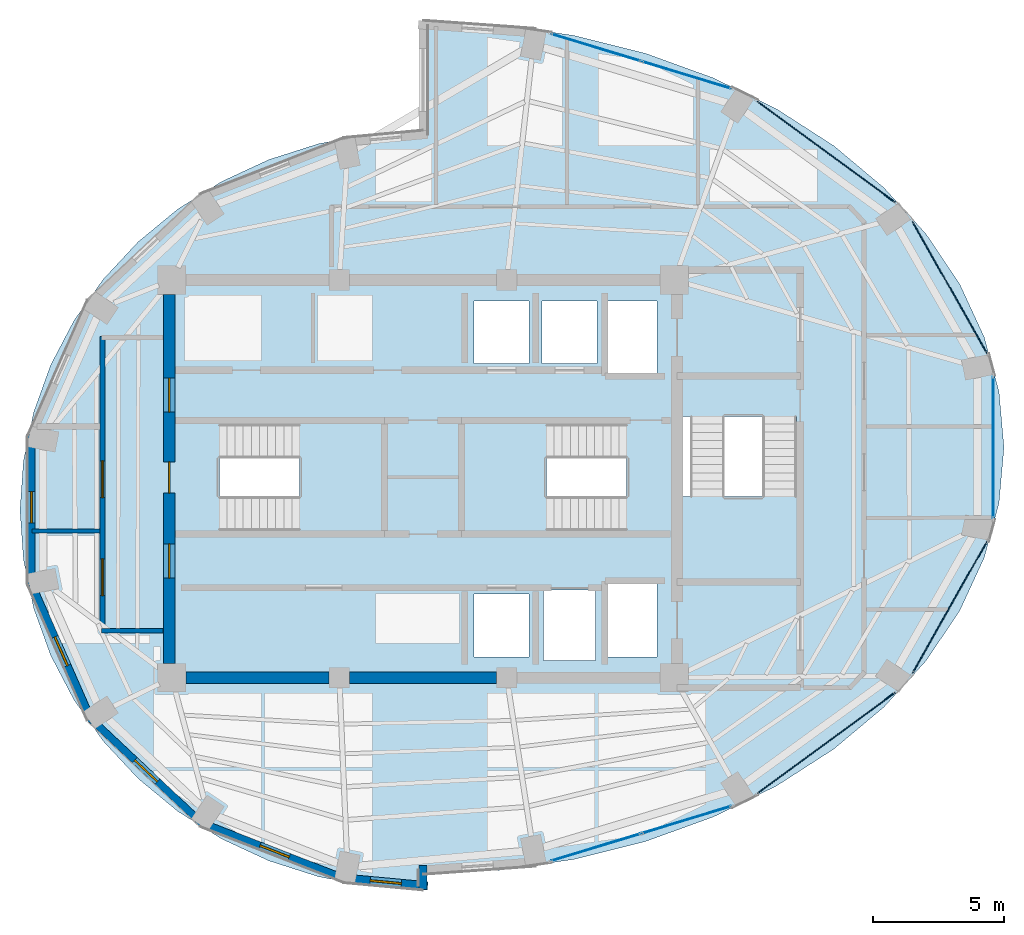
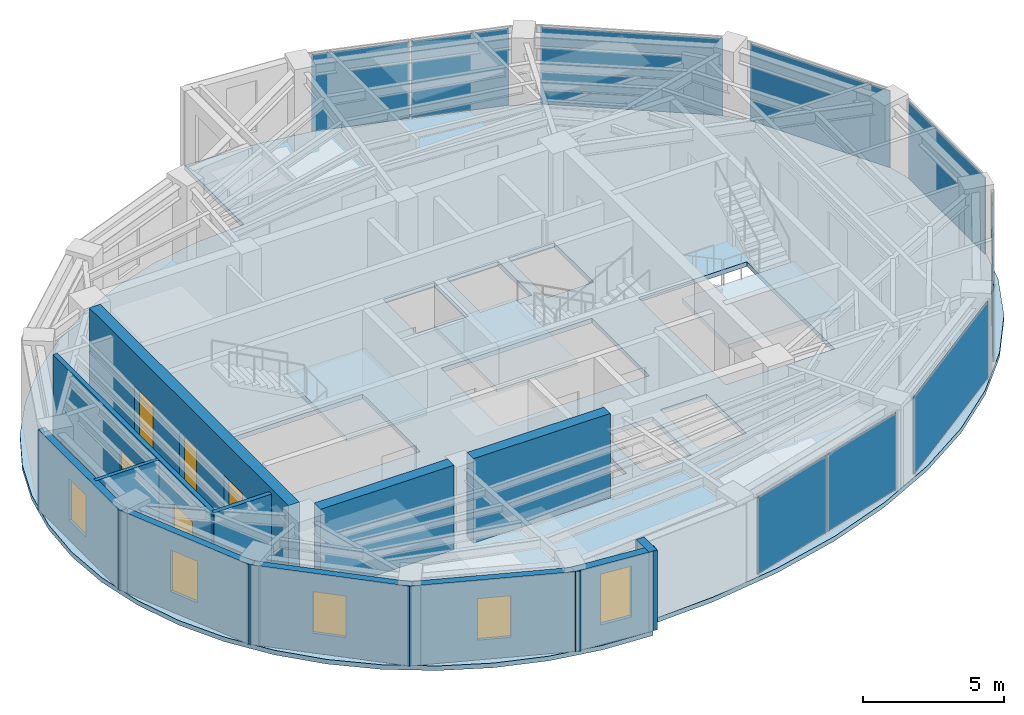
# One storey, part 8 of 13: 12 walls, 9 plates, 5 doors, 5 windows, 4 slabs, 10 openings, 10 elements without a shape of their own.
"""IFC4 building model written with IfcOpenShell, lengths in metres."""

from ifc_helpers import new_model, si_unit, direction, frame, frame_2d, origin, origin_2d, place, context, subcontext, project, spatial, polyline, rectangle, outline, extrude, material, layer, layer_set, type_object, element, fill, aggregate, save


model = new_model("IFC4")

# Units and contexts
model_context = context("Model", 3, precision=1e-05, world=origin(), true_north=direction((0.0, 1.0)))
body_context = subcontext(model_context, "Body", "Model", "MODEL_VIEW")
ifc_project = project(units=[si_unit("LENGTHUNIT", "METRE"), si_unit("AREAUNIT", "SQUARE_METRE"), si_unit("VOLUMEUNIT", "CUBIC_METRE"), si_unit("PLANEANGLEUNIT", "RADIAN"), si_unit("MASSUNIT", "GRAM", prefix="KILO")], contexts=[model_context])

# Site, building, storey
site_placement = place(None, origin())
site = spatial("IfcSite", under=ifc_project, at=site_placement, CompositionType="ELEMENT")
building_placement = place(site_placement, origin())
building = spatial("IfcBuilding", under=site, at=building_placement, Name="Lazwardi Medical Tower", CompositionType="ELEMENT")
storey_placement = place(building_placement, frame((0.0, 0.0, 273.263916015625)))
storey = spatial("IfcBuildingStorey", under=building, at=storey_placement, Name="L71", CompositionType="ELEMENT", Elevation=273.263916015625)

# Curtain wall, plates
ifc_material_1 = material(Name="Anodised bronze aluminium and solar control glazing", Category="aluminium")
ifc_layer_1 = layer(ifc_material_1, 0.18994140625)
ifc_layer_set_1 = layer_set([ifc_layer_1], Name="Anodised bronze aluminium and solar control glazing")
curtain_wall_type = type_object("IfcCurtainWallType", Name="CW-SYS-04", PredefinedType="NOTDEFINED", material=ifc_layer_set_1)
curtain_wall_1_placement = place(storey_placement, origin())
curtain_wall_1 = element("IfcCurtainWall", 1, at=curtain_wall_1_placement, inside=storey, type_object=curtain_wall_type, Name="L71 Unitised bronze curtain wall CW-04", PredefinedType="NOTDEFINED")
ifc_material_2 = material(Name="Low-e bronze solar control double glazing", Category="glass")
ifc_layer_2 = layer(ifc_material_2, 0.035888671875)
ifc_layer_set_2 = layer_set([ifc_layer_2], Name="Low-e bronze solar control double glazing")
plate_type = type_object("IfcPlateType", Name="PLT-GLZ-01", PredefinedType="CURTAIN_PANEL", material=ifc_layer_set_2)
plate_1_placement = place(storey_placement, frame((42.604736328125, 13.918701171875, 0.06494140625), z_axis=(0.0, 0.0, 1.0), x_axis=(0.956850126972, 0.290581889515, 0.0)))
plate_1 = element("IfcPlate", 2, at=plate_1_placement, type_object=plate_type, Name="CW-04 panel 1.1", PredefinedType="CURTAIN_PANEL", context=body_context, shape_type="SweptSolid", body=[
    extrude(rectangle(XDim=3.554443359375, YDim=0.035888671875, at=origin_2d()), origin(), (0.0, 0.0, 1.0), 3.318115234375),
])
plate_2_placement = place(storey_placement, frame((46.068115234375, 14.970458984375, 0.06494140625), z_axis=(0.0, 0.0, 1.0), x_axis=(0.956850126972, 0.290581889515, 0.0)))
plate_2 = element("IfcPlate", 3, at=plate_2_placement, type_object=plate_type, Name="CW-04 panel 2.1", PredefinedType="CURTAIN_PANEL", context=body_context, shape_type="SweptSolid", body=[
    extrude(rectangle(XDim=3.554443359375, YDim=0.035888671875, at=origin_2d()), origin(), (0.0, 0.0, 1.0), 3.318115234375),
])
aggregate(curtain_wall_1, [plate_1, plate_2])

# Curtain wall, plate
curtain_wall_2_placement = place(storey_placement, origin())
curtain_wall_2 = element("IfcCurtainWall", 4, at=curtain_wall_2_placement, inside=storey, type_object=curtain_wall_type, Name="L71 Unitised bronze curtain wall CW-04", PredefinedType="NOTDEFINED")
plate_3_placement = place(storey_placement, frame((51.403564453125, 17.90673828125, 0.06494140625), z_axis=(0.0, 0.0, 1.0), x_axis=(0.806474971121, 0.591268230971, 0.0)))
plate_3 = element("IfcPlate", 5, at=plate_3_placement, type_object=plate_type, Name="CW-04 panel 1.1", PredefinedType="CURTAIN_PANEL", context=body_context, shape_type="SweptSolid", body=[
    extrude(rectangle(XDim=6.502685546875, YDim=0.035888671875, at=origin_2d()), origin(), (0.0, 0.0, 1.0), 3.318115234375),
])
aggregate(curtain_wall_2, [plate_3])

curtain_wall_3_placement = place(storey_placement, origin())
curtain_wall_3 = element("IfcCurtainWall", 6, at=curtain_wall_3_placement, inside=storey, type_object=curtain_wall_type, Name="L71 Unitised bronze curtain wall CW-04", PredefinedType="NOTDEFINED")
plate_4_placement = place(storey_placement, frame((56.125732421875, 23.088134765625, 0.06494140625), z_axis=(0.0, 0.0, 1.0), x_axis=(0.491900474661, 0.870651436011, 0.0)))
plate_4 = element("IfcPlate", 7, at=plate_4_placement, type_object=plate_type, Name="CW-04 panel 1.1", PredefinedType="CURTAIN_PANEL", context=body_context, shape_type="SweptSolid", body=[
    extrude(rectangle(XDim=5.755126953125, YDim=0.035888671875, at=origin_2d()), origin(), (0.0, 0.0, 1.0), 3.318115234375),
])
aggregate(curtain_wall_3, [plate_4])

curtain_wall_4_placement = place(storey_placement, origin())
curtain_wall_4 = element("IfcCurtainWall", 8, at=curtain_wall_4_placement, inside=storey, type_object=curtain_wall_type, Name="L71 Unitised bronze curtain wall CW-04", PredefinedType="NOTDEFINED")
plate_5_placement = place(storey_placement, frame((57.7841796875, 29.199951171875, 0.06494140625), z_axis=(0.0, 0.0, 1.0), x_axis=(0.0, 1.0, 0.0)))
plate_5 = element("IfcPlate", 9, at=plate_5_placement, type_object=plate_type, Name="CW-04 panel 1.1", PredefinedType="CURTAIN_PANEL", context=body_context, shape_type="SweptSolid", body=[
    extrude(rectangle(XDim=5.416015625, YDim=0.035888671875, at=origin_2d()), origin(), (0.0, 0.0, 1.0), 3.318115234375),
])
aggregate(curtain_wall_4, [plate_5])

curtain_wall_5_placement = place(storey_placement, origin())
curtain_wall_5 = element("IfcCurtainWall", 10, at=curtain_wall_5_placement, inside=storey, type_object=curtain_wall_type, Name="L71 Unitised bronze curtain wall CW-04", PredefinedType="NOTDEFINED")
plate_6_placement = place(storey_placement, frame((56.125732421875, 35.311767578125, 0.06494140625), z_axis=(0.0, 0.0, 1.0), x_axis=(-0.491900474661, 0.870651436011, 0.0)))
plate_6 = element("IfcPlate", 11, at=plate_6_placement, type_object=plate_type, Name="CW-04 panel 1.1", PredefinedType="CURTAIN_PANEL", context=body_context, shape_type="SweptSolid", body=[
    extrude(rectangle(XDim=5.755126953125, YDim=0.035888671875, at=origin_2d()), origin(), (0.0, 0.0, 1.0), 3.318115234375),
])
aggregate(curtain_wall_5, [plate_6])

curtain_wall_6_placement = place(storey_placement, origin())
curtain_wall_6 = element("IfcCurtainWall", 12, at=curtain_wall_6_placement, inside=storey, type_object=curtain_wall_type, Name="L71 Unitised bronze curtain wall CW-04", PredefinedType="NOTDEFINED")
plate_7_placement = place(storey_placement, frame((51.403564453125, 40.4931640625, 0.06494140625), z_axis=(0.0, 0.0, 1.0), x_axis=(-0.806474971121, 0.591268230971, 0.0)))
plate_7 = element("IfcPlate", 13, at=plate_7_placement, type_object=plate_type, Name="CW-04 panel 1.1", PredefinedType="CURTAIN_PANEL", context=body_context, shape_type="SweptSolid", body=[
    extrude(rectangle(XDim=6.502685546875, YDim=0.035888671875, at=origin_2d()), origin(), (0.0, 0.0, 1.0), 3.318115234375),
])
aggregate(curtain_wall_6, [plate_7])

# Curtain wall, plates
curtain_wall_7_placement = place(storey_placement, origin())
curtain_wall_7 = element("IfcCurtainWall", 14, at=curtain_wall_7_placement, inside=storey, type_object=curtain_wall_type, Name="L71 Unitised bronze curtain wall CW-04", PredefinedType="NOTDEFINED")
plate_8_placement = place(storey_placement, frame((46.068115234375, 43.429443359375, 0.06494140625), z_axis=(0.0, 0.0, 1.0), x_axis=(-0.956850126972, 0.290581889515, 0.0)))
plate_8 = element("IfcPlate", 15, at=plate_8_placement, type_object=plate_type, Name="CW-04 panel 1.1", PredefinedType="CURTAIN_PANEL", context=body_context, shape_type="SweptSolid", body=[
    extrude(rectangle(XDim=3.554443359375, YDim=0.035888671875, at=origin_2d()), origin(), (0.0, 0.0, 1.0), 3.318115234375),
])
plate_9_placement = place(storey_placement, frame((42.604736328125, 44.481201171875, 0.06494140625), z_axis=(0.0, 0.0, 1.0), x_axis=(-0.956850126972, 0.290581889515, 0.0)))
plate_9 = element("IfcPlate", 16, at=plate_9_placement, type_object=plate_type, Name="CW-04 panel 2.1", PredefinedType="CURTAIN_PANEL", context=body_context, shape_type="SweptSolid", body=[
    extrude(rectangle(XDim=3.554443359375, YDim=0.035888671875, at=origin_2d()), origin(), (0.0, 0.0, 1.0), 3.318115234375),
])
aggregate(curtain_wall_7, [plate_8, plate_9])

# Stair, slab
ifc_material_3 = material(Name="Concrete C45/55", Category="concrete")
stair_type = type_object("IfcStairType", Name="STR-WRD", PredefinedType="HALF_TURN_STAIR", material=ifc_material_3)
stair_1_placement = place(storey_placement, origin())
stair_1 = element("IfcStair", 17, at=stair_1_placement, inside=storey, type_object=stair_type, Name="L71 Protected Exit Stair ST1", PredefinedType="HALF_TURN_STAIR")
ifc_layer_3 = layer(ifc_material_3, 0.199951171875)
ifc_layer_set_3 = layer_set([ifc_layer_3], Name="Concrete C45/55")
slab_type_1 = type_object("IfcSlabType", Name="SLB-LND-190", PredefinedType="LANDING", material=ifc_layer_set_3)
slab_1_placement = place(storey_placement, frame((0.0, 0.0, 1.6240234375)))
slab_1 = element("IfcSlab", 18, at=slab_1_placement, type_object=slab_type_1, Name="ST1 landing 1", PredefinedType="LANDING", context=body_context, shape_type="SweptSolid", body=[
    extrude(outline(polyline([(31.27490234375, 25.840087890625), (34.580078125, 25.840087890625), (34.580078125, 30.280029296875), (31.27490234375, 30.280029296875), (31.27490234375, 25.840087890625)])), origin(), (0.0, 0.0, 1.0), 0.199951171875),
])
aggregate(stair_1, [slab_1])

stair_2_placement = place(storey_placement, origin())
stair_2 = element("IfcStair", 19, at=stair_2_placement, inside=storey, type_object=stair_type, Name="L71 Protected Exit Stair ST2", PredefinedType="HALF_TURN_STAIR")
slab_2_placement = place(storey_placement, frame((0.0, 0.0, 1.6240234375)))
slab_2 = element("IfcSlab", 20, at=slab_2_placement, type_object=slab_type_1, Name="ST2 landing 1", PredefinedType="LANDING", context=body_context, shape_type="SweptSolid", body=[
    extrude(outline(polyline([(40.72509765625, 30.280029296875), (37.419921875, 30.280029296875), (37.419921875, 25.840087890625), (40.72509765625, 25.840087890625), (40.72509765625, 30.280029296875)])), origin(), (0.0, 0.0, 1.0), 0.199951171875),
])
aggregate(stair_2, [slab_2])

stair_3_placement = place(storey_placement, origin())
stair_3 = element("IfcStair", 21, at=stair_3_placement, inside=storey, type_object=stair_type, Name="L71 Protected Exit Stair ST3", PredefinedType="HALF_TURN_STAIR")
slab_3_placement = place(storey_placement, frame((0.0, 0.0, 1.6240234375)))
slab_3 = element("IfcSlab", 22, at=slab_3_placement, type_object=slab_type_1, Name="ST3 landing 1", PredefinedType="LANDING", context=body_context, shape_type="SweptSolid", body=[
    extrude(outline(polyline([(45.860107421875, 27.324951171875), (45.860107421875, 24.02001953125), (50.4599609375, 24.02001953125), (50.4599609375, 27.324951171875), (45.860107421875, 27.324951171875)])), origin(), (0.0, 0.0, 1.0), 0.199951171875),
])
aggregate(stair_3, [slab_3])

# Slab
ifc_material_4 = material(Name="Concrete C50/60", Category="concrete")
ifc_layer_4 = layer(ifc_material_4, 0.199951171875)
ifc_layer_set_4 = layer_set([ifc_layer_4], Name="Concrete C50/60")
slab_type_2 = type_object("IfcSlabType", Name="SLB-UPP-200", PredefinedType="FLOOR", material=ifc_layer_set_4)
slab_4_placement = place(storey_placement, frame((0.0, 0.0, -0.199951171875)))
element("IfcSlab", 23, at=slab_4_placement, inside=storey, type_object=slab_type_2, Name="Structural floor slab SF-04 L71", PredefinedType="FLOOR", context=body_context, shape_type="SweptSolid", body=[
    extrude(outline(polyline([(23.782470703125, 17.972900390625), (25.110595703125, 16.547119140625), (26.625, 15.29638671875), (28.300048828125, 14.24267578125), (30.106689453125, 13.40380859375), (32.01416015625, 12.794189453125), (33.989990234375, 12.424072265625), (36.0, 12.300048828125), (36.0, 12.89990234375), (38.897705078125, 13.039306640625), (41.745849609375, 13.455322265625), (44.49560546875, 14.140869140625), (47.10009765625, 15.083740234375), (49.514404296875, 16.268310546875), (51.69775390625, 17.67431640625), (53.6123046875, 19.277099609375), (55.225830078125, 21.050048828125), (56.510009765625, 22.96240234375), (57.443603515625, 24.981201171875), (58.010009765625, 27.072509765625), (58.199951171875, 29.199951171875), (58.010009765625, 31.32763671875), (57.443603515625, 33.418701171875), (56.510009765625, 35.437744140625), (55.225830078125, 37.35009765625), (53.6123046875, 39.122802734375), (51.69775390625, 40.725830078125), (49.514404296875, 42.131591796875), (47.10009765625, 43.316162109375), (44.49560546875, 44.25927734375), (41.745849609375, 44.944580078125), (38.897705078125, 45.360595703125), (36.0, 45.5), (36.0, 41.300048828125), (33.989990234375, 41.176025390625), (32.01416015625, 40.805908203125), (30.106689453125, 40.1962890625), (28.300048828125, 39.357421875), (26.625, 38.3037109375), (25.110595703125, 37.052978515625), (23.782470703125, 35.626953125), (22.6630859375, 34.050048828125), (21.772216796875, 32.348876953125), (21.124755859375, 30.552978515625), (20.731689453125, 28.692626953125), (20.60009765625, 26.800048828125), (20.731689453125, 24.907470703125), (21.124755859375, 23.047119140625), (21.772216796875, 21.251220703125), (22.6630859375, 19.550048828125), (23.782470703125, 17.972900390625)]), holes=[polyline([(28.22509765625, 26.02001953125), (28.22509765625, 30.10009765625), (34.39990234375, 30.10009765625), (34.39990234375, 26.02001953125), (28.22509765625, 26.02001953125)]), polyline([(37.60009765625, 30.10009765625), (43.77490234375, 30.10009765625), (43.77490234375, 26.02001953125), (37.60009765625, 26.02001953125), (37.60009765625, 30.10009765625)]), polyline([(50.280029296875, 30.375), (50.280029296875, 24.179931640625), (45.840087890625, 24.179931640625), (45.840087890625, 30.375), (50.280029296875, 30.375)]), polyline([(40.050048828125, 32.39990234375), (37.949951171875, 32.39990234375), (37.949951171875, 34.800048828125), (40.050048828125, 34.800048828125), (40.050048828125, 32.39990234375)]), polyline([(40.550048828125, 32.39990234375), (40.550048828125, 34.800048828125), (42.64990234375, 34.800048828125), (42.64990234375, 32.39990234375), (40.550048828125, 32.39990234375)]), polyline([(37.949951171875, 23.60009765625), (40.050048828125, 23.60009765625), (40.050048828125, 21.199951171875), (37.949951171875, 21.199951171875), (37.949951171875, 23.60009765625)]), polyline([(44.949951171875, 34.800048828125), (44.949951171875, 32.0), (43.050048828125, 32.0), (43.050048828125, 34.800048828125), (44.949951171875, 34.800048828125)]), polyline([(44.949951171875, 21.199951171875), (43.050048828125, 21.199951171875), (43.050048828125, 24.0), (44.949951171875, 24.0), (44.949951171875, 21.199951171875)]), polyline([(40.60009765625, 21.050048828125), (40.60009765625, 23.75), (42.60009765625, 23.75), (42.60009765625, 21.050048828125), (40.60009765625, 21.050048828125)])]), origin(), (0.0, 0.0, 1.0), 0.199951171875),
])

# Wall
ifc_material_5 = material(Name="Fire-rated gypsum board on steel stud", Category="steel")
ifc_layer_5 = layer(ifc_material_5, 0.179931640625)
ifc_layer_set_5 = layer_set([ifc_layer_5], Name="Fire-rated gypsum board on steel stud")
wall_type_1 = type_object("IfcWallType", Name="WL-COR-180", PredefinedType="PARTITIONING", material=ifc_layer_set_5)
wall_1_placement = place(storey_placement, frame((26.06005859375, 22.199951171875, 0.0), z_axis=(0.0, 0.0, 1.0), x_axis=(-1.0, 0.0, 0.0)))
element("IfcWall", 24, at=wall_1_placement, inside=storey, type_object=wall_type_1, Name="L71 Corridor partition 7", PredefinedType="PARTITIONING", context=body_context, shape_type="SweptSolid", body=[
    extrude(rectangle(XDim=2.35009765625, YDim=0.179931640625, at=frame_2d((1.175048828125, 0.0))), origin(), (0.0, 0.0, 1.0), 3.447998046875),
])

# Wall, openings, doors
wall_2_placement = place(storey_placement, frame((23.75, 22.159912109375, 0.0), z_axis=(0.0, 0.0, 1.0), x_axis=(0.0, 1.0, 0.0)))
wall_2 = element("IfcWall", 25, at=wall_2_placement, inside=storey, type_object=wall_type_1, Name="L71 Corridor partition 8", PredefinedType="PARTITIONING", context=body_context, shape_type="SweptSolid", body=[
    extrude(rectangle(XDim=11.280029296875, YDim=0.179931640625, at=frame_2d((5.64013671875, 0.0))), origin(), (0.0, 0.0, 1.0), 3.447998046875),
])
opening_1_placement = place(wall_2_placement, frame((5.12255859375, 0.0, 0.0)))
opening_1 = element("IfcOpeningElement", 26, at=opening_1_placement, cuts=wall_2, Name="Opening D-L71-010", PredefinedType="OPENING", context=body_context, shape_type="SweptSolid", body=[
    extrude(rectangle(XDim=1.39990234375, YDim=2.199951171875, at=frame_2d((0.699951171875, 1.10009765625))), frame((0.0, 0.099853515625, 0.0), z_axis=(0.0, -1.0, 0.0), x_axis=(1.0, 0.0, 0.0)), (0.0, 0.0, 1.0), 0.199951171875),
])
opening_2_placement = place(wall_2_placement, frame((1.37890625, 0.0, 0.0)))
opening_2 = element("IfcOpeningElement", 27, at=opening_2_placement, cuts=wall_2, Name="Opening D-L71-011", PredefinedType="OPENING", context=body_context, shape_type="SweptSolid", body=[
    extrude(rectangle(XDim=1.39990234375, YDim=2.199951171875, at=frame_2d((0.699951171875, 1.10009765625))), frame((0.0, 0.099853515625, 0.0), z_axis=(0.0, -1.0, 0.0), x_axis=(1.0, 0.0, 0.0)), (0.0, 0.0, 1.0), 0.199951171875),
])
ifc_material_6 = material(Name="Anti-microbial laminate hospital leaf")
door_type_1 = type_object("IfcDoorType", Name="DR-BED-1400", OperationType="NOTDEFINED", PredefinedType="DOOR", material=ifc_material_6)
door_1_placement = place(opening_1_placement, origin())
door_1 = element("IfcDoor", 28, at=door_1_placement, inside=storey, type_object=door_type_1, Name="L71 Outpatient Clinic Door 01", OperationType="SINGLE_SWING_LEFT", OverallHeight=2.199951171875, OverallWidth=1.39990234375, PredefinedType="DOOR", context=body_context, shape_type="SweptSolid", body=[
    extrude(rectangle(XDim=1.39990234375, YDim=2.199951171875, at=frame_2d((0.699951171875, 1.10009765625))), frame((0.0, 0.02490234375, 0.0), z_axis=(0.0, -1.0, 0.0), x_axis=(1.0, 0.0, 0.0)), (0.0, 0.0, 1.0), 0.050048828125),
])
fill(opening_1, door_1)
door_2_placement = place(opening_2_placement, origin())
door_2 = element("IfcDoor", 29, at=door_2_placement, inside=storey, type_object=door_type_1, Name="L71 Patient Day Lounge Door 02", OperationType="SINGLE_SWING_RIGHT", OverallHeight=2.199951171875, OverallWidth=1.39990234375, PredefinedType="DOOR", context=body_context, shape_type="SweptSolid", body=[
    extrude(rectangle(XDim=1.39990234375, YDim=2.199951171875, at=frame_2d((0.699951171875, 1.10009765625))), frame((0.0, 0.02490234375, 0.0), z_axis=(0.0, -1.0, 0.0), x_axis=(1.0, 0.0, 0.0)), (0.0, 0.0, 1.0), 0.050048828125),
])
fill(opening_2, door_2)

ifc_material_7 = material(Name="Concrete C60/75", Category="concrete")
ifc_layer_6 = layer(ifc_material_7, 0.449951171875)
ifc_layer_set_6 = layer_set([ifc_layer_6], Name="Concrete C60/75")
wall_type_2 = type_object("IfcWallType", Name="WL-CORE-450", PredefinedType="SHEAR", material=ifc_layer_set_6)
wall_3_placement = place(storey_placement, frame((26.300048828125, 20.949951171875, 0.0), z_axis=(0.0, 0.0, 1.0), x_axis=(0.0, 1.0, 0.0)))
wall_3 = element("IfcWall", 30, at=wall_3_placement, inside=storey, type_object=wall_type_2, Name="Core wall CW-S4 west L71", PredefinedType="SHEAR", context=body_context, shape_type="SweptSolid", body=[
    extrude(rectangle(XDim=14.10009765625, YDim=0.449951171875, at=frame_2d((7.050048828125, 0.0))), origin(), (0.0, 0.0, 1.0), 3.648193359375),
])
opening_3_placement = place(wall_3_placement, frame((6.5, 0.0, 0.0)))
opening_3 = element("IfcOpeningElement", 31, at=opening_3_placement, cuts=wall_3, Name="Opening D-L71-019", PredefinedType="OPENING", context=body_context, shape_type="SweptSolid", body=[
    extrude(rectangle(XDim=1.199951171875, YDim=2.14990234375, at=frame_2d((0.60009765625, 1.074951171875))), frame((0.0, 0.23486328125, 0.0), z_axis=(0.0, -1.0, 0.0), x_axis=(1.0, 0.0, 0.0)), (0.0, 0.0, 1.0), 0.469970703125),
])
opening_4_placement = place(wall_3_placement, frame((9.60009765625, 0.0, 0.0)))
opening_4 = element("IfcOpeningElement", 32, at=opening_4_placement, cuts=wall_3, Name="Opening D-L71-008", PredefinedType="OPENING", context=body_context, shape_type="SweptSolid", body=[
    extrude(rectangle(XDim=1.300048828125, YDim=2.199951171875, at=frame_2d((0.64990234375, 1.10009765625))), frame((0.0, 0.23486328125, 0.0), z_axis=(0.0, -1.0, 0.0), x_axis=(1.0, 0.0, 0.0)), (0.0, 0.0, 1.0), 0.469970703125),
])
opening_5_placement = place(wall_3_placement, frame((3.260009765625, 0.0, 0.0)))
opening_5 = element("IfcOpeningElement", 33, at=opening_5_placement, cuts=wall_3, Name="Opening D-L71-009", PredefinedType="OPENING", context=body_context, shape_type="SweptSolid", body=[
    extrude(rectangle(XDim=1.300048828125, YDim=2.199951171875, at=frame_2d((0.64990234375, 1.10009765625))), frame((0.0, 0.23486328125, 0.0), z_axis=(0.0, -1.0, 0.0), x_axis=(1.0, 0.0, 0.0)), (0.0, 0.0, 1.0), 0.469970703125),
])
ifc_material_8 = material(Name="Fire-rated steel leaf and frame", Category="steel")
door_type_2 = type_object("IfcDoorType", Name="DR-FFL-1300", OperationType="NOTDEFINED", PredefinedType="DOOR", material=ifc_material_8)
door_3_placement = place(opening_4_placement, origin())
door_3 = element("IfcDoor", 34, at=door_3_placement, inside=storey, type_object=door_type_2, Name="L71 North Lift Lobby Door", OperationType="SINGLE_SWING_LEFT", OverallHeight=2.199951171875, OverallWidth=1.300048828125, PredefinedType="DOOR", context=body_context, shape_type="SweptSolid", body=[
    extrude(rectangle(XDim=1.300048828125, YDim=2.199951171875, at=frame_2d((0.64990234375, 1.10009765625))), frame((0.0, 0.02490234375, 0.0), z_axis=(0.0, -1.0, 0.0), x_axis=(1.0, 0.0, 0.0)), (0.0, 0.0, 1.0), 0.050048828125),
])
fill(opening_4, door_3)
door_4_placement = place(opening_5_placement, origin())
door_4 = element("IfcDoor", 35, at=door_4_placement, inside=storey, type_object=door_type_2, Name="L71 South Lift Lobby Door", OperationType="SINGLE_SWING_RIGHT", OverallHeight=2.199951171875, OverallWidth=1.300048828125, PredefinedType="DOOR", context=body_context, shape_type="SweptSolid", body=[
    extrude(rectangle(XDim=1.300048828125, YDim=2.199951171875, at=frame_2d((0.64990234375, 1.10009765625))), frame((0.0, 0.02490234375, 0.0), z_axis=(0.0, -1.0, 0.0), x_axis=(1.0, 0.0, 0.0)), (0.0, 0.0, 1.0), 0.050048828125),
])
fill(opening_5, door_4)
door_type_3 = type_object("IfcDoorType", Name="DR-STR-1200", OperationType="NOTDEFINED", PredefinedType="DOOR", material=ifc_material_8)
door_5_placement = place(opening_3_placement, origin())
door_5 = element("IfcDoor", 36, at=door_5_placement, inside=storey, type_object=door_type_3, Name="L71 Exit Stair ST1 Door", OperationType="SINGLE_SWING_LEFT", OverallHeight=2.14990234375, OverallWidth=1.199951171875, PredefinedType="DOOR", context=body_context, shape_type="SweptSolid", body=[
    extrude(rectangle(XDim=1.199951171875, YDim=2.14990234375, at=frame_2d((0.60009765625, 1.074951171875))), frame((0.0, 0.02490234375, 0.0), z_axis=(0.0, -1.0, 0.0), x_axis=(1.0, 0.0, 0.0)), (0.0, 0.0, 1.0), 0.050048828125),
])
fill(opening_3, door_5)

# Walls
wall_4_placement = place(storey_placement, frame((26.949951171875, 20.39990234375, 0.0), z_axis=(0.0, 0.0, 1.0), x_axis=(1.0, 0.0, 0.0)))
element("IfcWall", 37, at=wall_4_placement, inside=storey, type_object=wall_type_2, Name="Core wall CW-S4 S1 L71", PredefinedType="SHEAR", context=body_context, shape_type="SweptSolid", body=[
    extrude(rectangle(XDim=5.449951171875, YDim=0.449951171875, at=frame_2d((2.72509765625, 0.0))), origin(), (0.0, 0.0, 1.0), 3.648193359375),
])
wall_5_placement = place(storey_placement, frame((33.199951171875, 20.39990234375, 0.0), z_axis=(0.0, 0.0, 1.0), x_axis=(1.0, 0.0, 0.0)))
element("IfcWall", 38, at=wall_5_placement, inside=storey, type_object=wall_type_2, Name="Core wall CW-S4 S2 L71", PredefinedType="SHEAR", context=body_context, shape_type="SweptSolid", body=[
    extrude(rectangle(XDim=5.60009765625, YDim=0.449951171875, at=frame_2d((2.800048828125, 0.0))), origin(), (0.0, 0.0, 1.0), 3.648193359375),
])

# Wall, opening, window
ifc_material_9 = material(Name="Precast concrete C45/55", Category="concrete")
ifc_layer_7 = layer(ifc_material_9, 0.280029296875)
ifc_layer_set_7 = layer_set([ifc_layer_7], Name="Precast concrete C45/55")
wall_type_3 = type_object("IfcWallType", Name="WL-DRUM-280", PredefinedType="SOLIDWALL", material=ifc_layer_set_7)
wall_6_placement = place(storey_placement, frame((21.033203125, 29.701416015625, 0.0), z_axis=(0.0, 0.0, 1.0), x_axis=(0.0, -1.0, 0.0)))
wall_6 = element("IfcWall", 39, at=wall_6_placement, inside=storey, type_object=wall_type_3, Name="L71 West Drum Precast Wall 4", PredefinedType="SOLIDWALL", context=body_context, shape_type="SweptSolid", body=[
    extrude(rectangle(XDim=5.802978515625, YDim=0.280029296875, at=frame_2d((2.9013671875, 0.0))), origin(), (0.0, 0.0, 1.0), 3.447998046875),
])
opening_6_placement = place(wall_6_placement, frame((2.1865234375, 0.0, 0.85009765625)))
opening_6 = element("IfcOpeningElement", 40, at=opening_6_placement, cuts=wall_6, Name="Opening WN-04", PredefinedType="OPENING", context=body_context, shape_type="SweptSolid", body=[
    extrude(rectangle(XDim=1.199951171875, YDim=1.800048828125, at=frame_2d((0.60009765625, 0.89990234375))), frame((0.0, 0.14990234375, 0.0), z_axis=(0.0, -1.0, 0.0), x_axis=(1.0, 0.0, 0.0)), (0.0, 0.0, 1.0), 0.300048828125),
])
window_type_1 = type_object("IfcWindowType", Name="WIN-DRUM-1200", PartitioningType="SINGLE_PANEL", PredefinedType="WINDOW", material=ifc_material_2)
window_1_placement = place(opening_6_placement, origin())
window_1 = element("IfcWindow", 41, at=window_1_placement, inside=storey, type_object=window_type_1, Name="L71 West Drum Window 4", OverallHeight=1.800048828125, OverallWidth=1.199951171875, PartitioningType="SINGLE_PANEL", PredefinedType="WINDOW", context=body_context, shape_type="SweptSolid", body=[
    extrude(rectangle(XDim=1.199951171875, YDim=1.800048828125, at=frame_2d((0.60009765625, 0.89990234375))), frame((0.0, 0.030029296875, 0.0), z_axis=(0.0, -1.0, 0.0), x_axis=(1.0, 0.0, 0.0)), (0.0, 0.0, 1.0), 0.06005859375),
])
fill(opening_6, window_1)

wall_7_placement = place(storey_placement, frame((20.992919921875, 24.090087890625, 0.0), z_axis=(0.0, 0.0, 1.0), x_axis=(0.402867150469, -0.91525846572, 0.0)))
wall_7 = element("IfcWall", 42, at=wall_7_placement, inside=storey, type_object=wall_type_3, Name="L71 West Drum Precast Wall 5", PredefinedType="SOLIDWALL", context=body_context, shape_type="SweptSolid", body=[
    extrude(rectangle(XDim=5.85595703125, YDim=0.280029296875, at=frame_2d((2.927978515625, 0.0))), origin(), (0.0, 0.0, 1.0), 3.447998046875),
])
opening_7_placement = place(wall_7_placement, frame((2.327880859375, 0.0, 0.85009765625)))
opening_7 = element("IfcOpeningElement", 43, at=opening_7_placement, cuts=wall_7, Name="Opening WN-04", PredefinedType="OPENING", context=body_context, shape_type="SweptSolid", body=[
    extrude(rectangle(XDim=1.199951171875, YDim=1.800048828125, at=frame_2d((0.60009765625, 0.89990234375))), frame((0.0, 0.14990234375, 0.0), z_axis=(0.0, -1.0, 0.0), x_axis=(1.0, 0.0, 0.0)), (0.0, 0.0, 1.0), 0.300048828125),
])
window_2_placement = place(opening_7_placement, origin())
window_2 = element("IfcWindow", 44, at=window_2_placement, inside=storey, type_object=window_type_1, Name="L71 West Drum Window 5", OverallHeight=1.800048828125, OverallWidth=1.199951171875, PartitioningType="SINGLE_PANEL", PredefinedType="WINDOW", context=body_context, shape_type="SweptSolid", body=[
    extrude(rectangle(XDim=1.199951171875, YDim=1.800048828125, at=frame_2d((0.60009765625, 0.89990234375))), frame((0.0, 0.030029296875, 0.0), z_axis=(0.0, -1.0, 0.0), x_axis=(1.0, 0.0, 0.0)), (0.0, 0.0, 1.0), 0.06005859375),
])
fill(opening_7, window_2)

wall_8_placement = place(storey_placement, frame((23.239013671875, 18.890380859375, 0.0), z_axis=(0.0, 0.0, 1.0), x_axis=(0.728251519923, -0.685309947199, 0.0)))
wall_8 = element("IfcWall", 45, at=wall_8_placement, inside=storey, type_object=wall_type_3, Name="L71 West Drum Precast Wall 6", PredefinedType="SOLIDWALL", context=body_context, shape_type="SweptSolid", body=[
    extrude(rectangle(XDim=5.98095703125, YDim=0.280029296875, at=frame_2d((2.990478515625, 0.0))), origin(), (0.0, 0.0, 1.0), 3.447998046875),
])
opening_8_placement = place(wall_8_placement, frame((2.390625, 0.0, 0.85009765625)))
opening_8 = element("IfcOpeningElement", 46, at=opening_8_placement, cuts=wall_8, Name="Opening WN-04", PredefinedType="OPENING", context=body_context, shape_type="SweptSolid", body=[
    extrude(rectangle(XDim=1.199951171875, YDim=1.800048828125, at=frame_2d((0.60009765625, 0.89990234375))), frame((0.0, 0.14990234375, 0.0), z_axis=(0.0, -1.0, 0.0), x_axis=(1.0, 0.0, 0.0)), (0.0, 0.0, 1.0), 0.300048828125),
])
window_3_placement = place(opening_8_placement, origin())
window_3 = element("IfcWindow", 47, at=window_3_placement, inside=storey, type_object=window_type_1, Name="L71 West Drum Window 6", OverallHeight=1.800048828125, OverallWidth=1.199951171875, PartitioningType="SINGLE_PANEL", PredefinedType="WINDOW", context=body_context, shape_type="SweptSolid", body=[
    extrude(rectangle(XDim=1.199951171875, YDim=1.800048828125, at=frame_2d((0.60009765625, 0.89990234375))), frame((0.0, 0.030029296875, 0.0), z_axis=(0.0, -1.0, 0.0), x_axis=(1.0, 0.0, 0.0)), (0.0, 0.0, 1.0), 0.06005859375),
])
fill(opening_8, window_3)

wall_9_placement = place(storey_placement, frame((27.4287109375, 14.896484375, 0.0), z_axis=(0.0, 0.0, 1.0), x_axis=(0.931716550814, -0.36318627306, 0.0)))
wall_9 = element("IfcWall", 48, at=wall_9_placement, inside=storey, type_object=wall_type_3, Name="L71 West Drum Precast Wall 7", PredefinedType="SOLIDWALL", context=body_context, shape_type="SweptSolid", body=[
    extrude(rectangle(XDim=6.22412109375, YDim=0.280029296875, at=frame_2d((3.112060546875, 0.0))), origin(), (0.0, 0.0, 1.0), 3.447998046875),
])
opening_9_placement = place(wall_9_placement, frame((2.511962890625, 0.0, 0.85009765625)))
opening_9 = element("IfcOpeningElement", 49, at=opening_9_placement, cuts=wall_9, Name="Opening WN-04", PredefinedType="OPENING", context=body_context, shape_type="SweptSolid", body=[
    extrude(rectangle(XDim=1.199951171875, YDim=1.800048828125, at=frame_2d((0.60009765625, 0.89990234375))), frame((0.0, 0.14990234375, 0.0), z_axis=(0.0, -1.0, 0.0), x_axis=(1.0, 0.0, 0.0)), (0.0, 0.0, 1.0), 0.300048828125),
])
window_4_placement = place(opening_9_placement, origin())
window_4 = element("IfcWindow", 50, at=window_4_placement, inside=storey, type_object=window_type_1, Name="L71 West Drum Window 7", OverallHeight=1.800048828125, OverallWidth=1.199951171875, PartitioningType="SINGLE_PANEL", PredefinedType="WINDOW", context=body_context, shape_type="SweptSolid", body=[
    extrude(rectangle(XDim=1.199951171875, YDim=1.800048828125, at=frame_2d((0.60009765625, 0.89990234375))), frame((0.0, 0.030029296875, 0.0), z_axis=(0.0, -1.0, 0.0), x_axis=(1.0, 0.0, 0.0)), (0.0, 0.0, 1.0), 0.06005859375),
])
fill(opening_9, window_4)

ifc_layer_8 = layer(ifc_material_9, 0.320068359375)
ifc_layer_set_8 = layer_set([ifc_layer_8], Name="Precast concrete C45/55")
wall_type_4 = type_object("IfcWallType", Name="WL-IWAN-320", PredefinedType="SOLIDWALL", material=ifc_layer_set_8)
wall_10_placement = place(storey_placement, frame((32.97705078125, 12.739990234375, 0.0), z_axis=(0.0, 0.0, 1.0), x_axis=(0.995736155144, -0.092247001792, 0.0)))
wall_10 = element("IfcWall", 51, at=wall_10_placement, inside=storey, type_object=wall_type_4, Name="L71 Iwan Portal Return Wall SW_ret", PredefinedType="SOLIDWALL", context=body_context, shape_type="SweptSolid", body=[
    extrude(rectangle(XDim=3.215576171875, YDim=0.320068359375, at=frame_2d((1.60791015625, 0.0))), origin(), (0.0, 0.0, 1.0), 3.447998046875),
])
opening_10_placement = place(wall_10_placement, frame((1.0078125, 0.0, 0.85009765625)))
opening_10 = element("IfcOpeningElement", 52, at=opening_10_placement, cuts=wall_10, Name="Opening WN-01", PredefinedType="OPENING", context=body_context, shape_type="SweptSolid", body=[
    extrude(rectangle(XDim=1.199951171875, YDim=2.199951171875, at=frame_2d((0.60009765625, 1.10009765625))), frame((0.0, 0.169921875, 0.0), z_axis=(0.0, -1.0, 0.0), x_axis=(1.0, 0.0, 0.0)), (0.0, 0.0, 1.0), 0.340087890625),
])
window_type_2 = type_object("IfcWindowType", Name="WIN-IW-1200", PartitioningType="SINGLE_PANEL", PredefinedType="WINDOW", material=ifc_material_2)
window_5_placement = place(opening_10_placement, origin())
window_5 = element("IfcWindow", 53, at=window_5_placement, inside=storey, type_object=window_type_2, Name="L71 Iwan Slot Window SW_ret", OverallHeight=2.199951171875, OverallWidth=1.199951171875, PartitioningType="SINGLE_PANEL", PredefinedType="WINDOW", context=body_context, shape_type="SweptSolid", body=[
    extrude(rectangle(XDim=1.199951171875, YDim=2.199951171875, at=frame_2d((0.60009765625, 1.10009765625))), frame((0.0, 0.030029296875, 0.0), z_axis=(0.0, -1.0, 0.0), x_axis=(1.0, 0.0, 0.0)), (0.0, 0.0, 1.0), 0.06005859375),
])
fill(opening_10, window_5)

# Walls
wall_11_placement = place(storey_placement, frame((36.0, 12.300048828125, 0.0), z_axis=(0.0, 0.0, 1.0), x_axis=(0.0, 1.0, 0.0)))
element("IfcWall", 54, at=wall_11_placement, inside=storey, type_object=wall_type_4, Name="L71 Turquoise Tilework Iwan Seam Wall S_seam", PredefinedType="SOLIDWALL", context=body_context, shape_type="SweptSolid", body=[
    extrude(rectangle(XDim=0.919921875, YDim=0.320068359375, at=frame_2d((0.4599609375, 0.0))), origin(), (0.0, 0.0, 1.0), 3.447998046875),
])
ifc_material_10 = material(Name="Acoustic gypsum board partition")
ifc_layer_9 = layer(ifc_material_10, 0.14990234375)
ifc_layer_set_9 = layer_set([ifc_layer_9], Name="Acoustic gypsum board partition")
wall_type_5 = type_object("IfcWallType", Name="WL-WRD-150", PredefinedType="PARTITIONING", material=ifc_layer_set_9)
wall_12_placement = place(storey_placement, frame((21.068115234375, 26.0, 0.0), z_axis=(0.0, 0.0, 1.0), x_axis=(1.0, 0.0, 0.0)))
element("IfcWall", 55, at=wall_12_placement, inside=storey, type_object=wall_type_5, Name="L71 Room partition 1", PredefinedType="PARTITIONING", context=body_context, shape_type="SweptSolid", body=[
    extrude(rectangle(XDim=2.591796875, YDim=0.14990234375, at=frame_2d((1.2958984375, 0.0))), origin(), (0.0, 0.0, 1.0), 3.447998046875),
])

save(model, "model.ifc")
